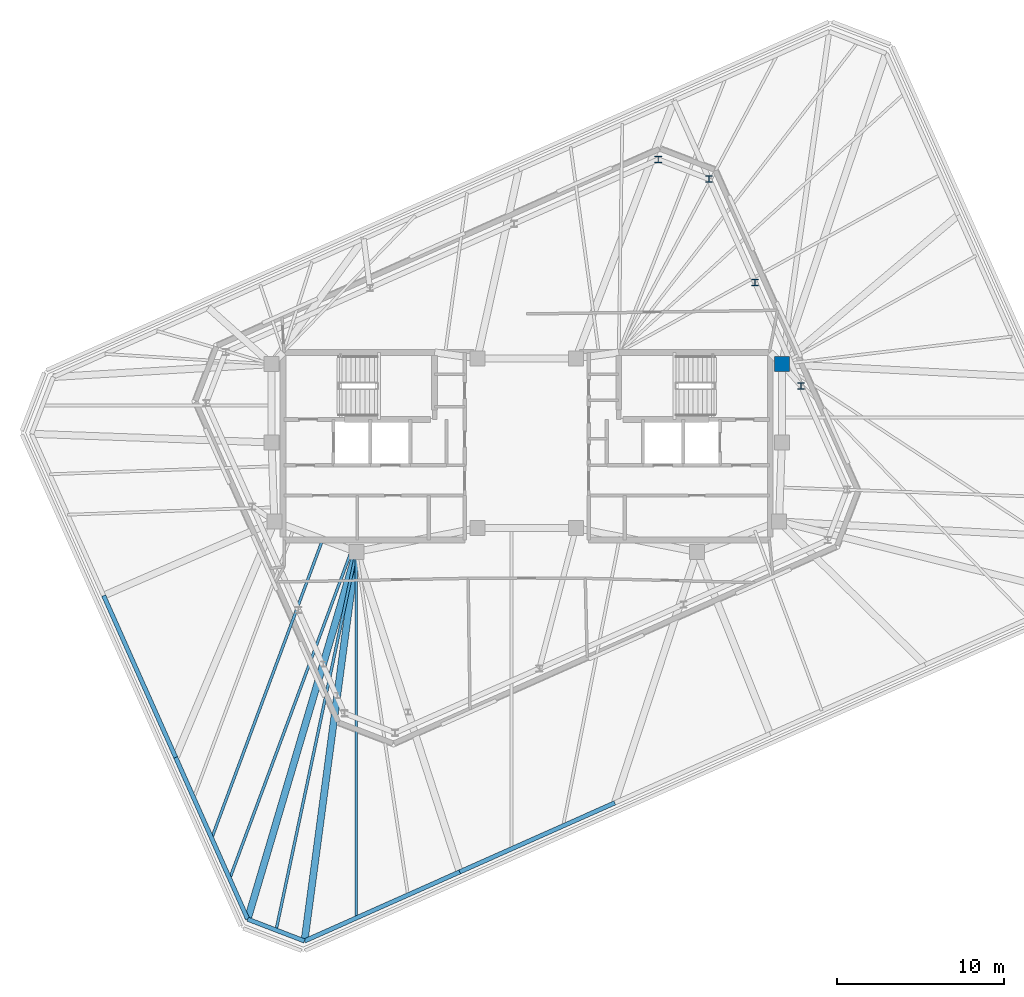
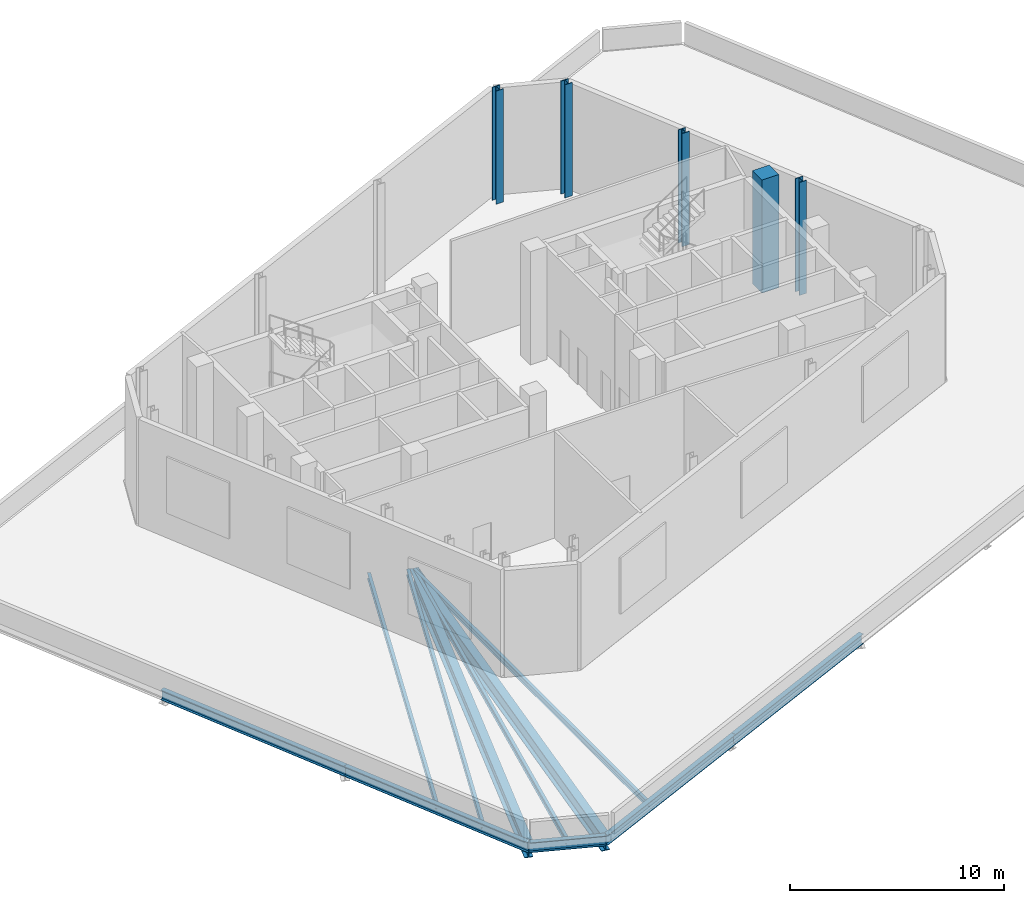
# One storey, part 3 of 10: 11 beams, 5 columns.
"""IFC4 building model written with IfcOpenShell, lengths in metres."""

from ifc_helpers import new_model, si_unit, direction, frame, origin, origin_2d, place, context, subcontext, project, spatial, rectangle, i_section, extrude, material, material_profile, profile_set, type_object, element, save


model = new_model("IFC4")

# Units and contexts
model_context = context("Model", 3, precision=1e-05, world=origin(), true_north=direction((0.0, 1.0)))
body_context = subcontext(model_context, "Body", "Model", "MODEL_VIEW")
ifc_project = project(units=[si_unit("LENGTHUNIT", "METRE"), si_unit("AREAUNIT", "SQUARE_METRE"), si_unit("VOLUMEUNIT", "CUBIC_METRE"), si_unit("PLANEANGLEUNIT", "RADIAN"), si_unit("MASSUNIT", "GRAM", prefix="KILO")], contexts=[model_context])

# Site, building, storey
site_placement = place(None, origin())
site = spatial("IfcSite", under=ifc_project, at=site_placement, CompositionType="ELEMENT")
building_placement = place(site_placement, origin())
building = spatial("IfcBuilding", under=site, at=building_placement, Name="Menara Jurai Vektor", CompositionType="ELEMENT")
storey_placement = place(building_placement, frame((0.0, 0.0, 305.550048828125)))
storey = spatial("IfcBuildingStorey", under=building, at=storey_placement, Name="L82", CompositionType="ELEMENT", Elevation=305.550048828125)

# Columns
ifc_material_1 = material(Name="Steel S460", Category="steel")
ifc_material_profile_1 = material_profile(ifc_material_1, i_section(OverallWidth=0.39892578125, OverallDepth=0.39404296875, WebThickness=0.02294921875, FlangeThickness=0.037109375, FilletRadius=0.014892578125, at=origin_2d()), Name="UKC 356x406x287")
ifc_profile_set_1 = profile_set([ifc_material_profile_1], Name="Steel S460")
column_type_1 = type_object("IfcColumnType", Name="STR-COL-DRUM", PredefinedType="COLUMN", material=ifc_profile_set_1)
for number, where, z_axis, x_axis, name in (
    (1, (16.40380859375, 3.60009765625, 0.0), (0.0, 0.0, 1.0), (1.0, 0.0, 0.0), "Crown Plant Drum Column DC-06"),
    (2, (13.651611328125, 9.781494140625, 0.0), (0.0, 0.0, 1.0), (1.0, 0.0, 0.0), "Crown Plant Drum Column DC-07"),
    (3, (10.8994140625, 15.96337890625, 0.0), (0.0, 0.0, 1.0), (1.0, 0.0, 0.0), "Crown Plant Drum Column DC-08"),
    (4, (7.86279296875, 17.12890625, 0.0), (0.0, 0.0, 1.0), (1.0, 0.0, 0.0), "Crown Plant Drum Column DC-09"),
):
    element("IfcColumn", number, at=place(storey_placement, frame(where, z_axis=z_axis, x_axis=x_axis)), inside=storey, type_object=column_type_1, Name=name, PredefinedType="COLUMN", context=body_context, shape_type="SweptSolid", body=[
        extrude(i_section(OverallWidth=0.39892578125, OverallDepth=0.39404296875, WebThickness=0.02294921875, FlangeThickness=0.037109375, FilletRadius=0.014892578125, at=origin_2d()), origin(), (0.0, 0.0, 1.0), 6.449951171875),
    ])
ifc_material_2 = material(Name="Concrete C50/60", Category="concrete")
ifc_material_profile_2 = material_profile(ifc_material_2, rectangle(XDim=0.89990234375, YDim=0.89990234375, at=origin_2d()), Name="RC 900x900")
ifc_profile_set_2 = profile_set([ifc_material_profile_2], Name="Concrete C50/60")
column_type_2 = type_object("IfcColumnType", Name="STR-COL-RC900", PredefinedType="COLUMN", material=ifc_profile_set_2)
column_placement = place(storey_placement, frame((15.25, 4.89990234375, 0.0), z_axis=(0.0, 0.0, 1.0), x_axis=(1.0, 0.0, 0.0)))
element("IfcColumn", 5, at=column_placement, inside=storey, type_object=column_type_2, Name="Core Spine Column CE-NE L82", PredefinedType="COLUMN", context=body_context, shape_type="SweptSolid", body=[
    extrude(rectangle(XDim=0.89990234375, YDim=0.89990234375, at=origin_2d()), origin(), (0.0, 0.0, 1.0), 6.449951171875),
])

# Beams
ifc_material_profile_3 = material_profile(ifc_material_1, i_section(OverallWidth=0.4208984375, OverallDepth=0.9208984375, WebThickness=0.02099609375, FlangeThickness=0.037109375, FilletRadius=0.02392578125, at=origin_2d()), Name="UKB 914x419x388")
ifc_profile_set_3 = profile_set([ifc_material_profile_3], Name="Steel S460")
beam_type_1 = type_object("IfcBeamType", Name="STR-BM-TR914", PredefinedType="BEAM", material=ifc_profile_set_3)
beam_1_placement = place(storey_placement, frame((-13.279541015625, -29.576904296875, -0.865478515625), z_axis=(0.132109192855, 0.991235169454, 0.0), x_axis=(-0.991235169454, 0.132109192855, 0.0)))
element("IfcBeam", 6, at=beam_1_placement, inside=storey, type_object=beam_type_1, Name="Drum Transfer Girder L82-S1", PredefinedType="BEAM", context=body_context, shape_type="SweptSolid", body=[
    extrude(i_section(OverallWidth=0.4208984375, OverallDepth=0.9208984375, WebThickness=0.02099609375, FlangeThickness=0.037109375, FilletRadius=0.02392578125, at=origin_2d()), origin(), (0.0, 0.0, 1.0), 23.46240234375),
])
beam_2_placement = place(storey_placement, frame((-16.675537109375, -28.2734375, -0.865478515625), z_axis=(0.283723047838, 0.958906268686, 0.0), x_axis=(-0.958906268686, 0.283723047838, 0.0)))
element("IfcBeam", 7, at=beam_2_placement, inside=storey, type_object=beam_type_1, Name="Drum Transfer Girder L82-W4", PredefinedType="BEAM", context=body_context, shape_type="SweptSolid", body=[
    extrude(i_section(OverallWidth=0.4208984375, OverallDepth=0.9208984375, WebThickness=0.02099609375, FlangeThickness=0.037109375, FilletRadius=0.02392578125, at=origin_2d()), origin(), (0.0, 0.0, 1.0), 22.894287109375),
])
ifc_material_3 = material(Name="Steel S355", Category="steel")
ifc_material_profile_4 = material_profile(ifc_material_3, i_section(OverallWidth=0.1650390625, OverallDepth=0.330078125, WebThickness=0.009033203125, FlangeThickness=0.013916015625, at=origin_2d()), Name="PG 330x165x46")
ifc_profile_set_4 = profile_set([ifc_material_profile_4], Name="Steel S355")
beam_type_2 = type_object("IfcBeamType", Name="STR-JS-330", PredefinedType="JOIST", material=ifc_profile_set_4)
beam_3_placement = place(storey_placement, frame((-10.188232421875, -28.20068359375, -0.570068359375), z_axis=(0.000379366876, 0.99999992804, 0.0), x_axis=(-0.99999992804, 0.000379366876, 0.0)))
element("IfcBeam", 8, at=beam_3_placement, inside=storey, type_object=beam_type_2, Name="Radial Secondary Floor Joist L82-JS01", PredefinedType="JOIST", context=body_context, shape_type="SweptSolid", body=[
    extrude(i_section(OverallWidth=0.1650390625, OverallDepth=0.330078125, WebThickness=0.009033203125, FlangeThickness=0.013916015625, at=origin_2d()), origin(), (0.0, 0.0, 1.0), 21.880615234375),
])
beam_4_placement = place(storey_placement, frame((-18.828125, -23.4384765625, -0.570068359375), z_axis=(0.348177845571, 0.937428497462, 0.0), x_axis=(-0.937428497462, 0.348177845571, 0.0)))
element("IfcBeam", 9, at=beam_4_placement, inside=storey, type_object=beam_type_2, Name="Radial Secondary Floor Joist L82-JS29", PredefinedType="JOIST", context=body_context, shape_type="SweptSolid", body=[
    extrude(i_section(OverallWidth=0.1650390625, OverallDepth=0.330078125, WebThickness=0.009033203125, FlangeThickness=0.013916015625, at=origin_2d()), origin(), (0.0, 0.0, 1.0), 19.05859375),
])
beam_5_placement = place(storey_placement, frame((-17.751953125, -25.85595703125, -0.570068359375), z_axis=(0.348185651823, 0.937425598042, 0.0), x_axis=(-0.937425598042, 0.348185651823, 0.0)))
element("IfcBeam", 10, at=beam_5_placement, inside=storey, type_object=beam_type_2, Name="Radial Secondary Floor Joist L82-JS30", PredefinedType="JOIST", context=body_context, shape_type="SweptSolid", body=[
    extrude(i_section(OverallWidth=0.1650390625, OverallDepth=0.330078125, WebThickness=0.009033203125, FlangeThickness=0.013916015625, at=origin_2d()), origin(), (0.0, 0.0, 1.0), 20.949951171875),
])
beam_6_placement = place(storey_placement, frame((-14.9775390625, -28.92529296875, -0.570068359375), z_axis=(0.207610208592, 0.978211634202, 0.0), x_axis=(-0.978211634202, 0.207610208592, 0.0)))
element("IfcBeam", 11, at=beam_6_placement, inside=storey, type_object=beam_type_2, Name="Radial Secondary Floor Joist L82-JS31", PredefinedType="JOIST", context=body_context, shape_type="SweptSolid", body=[
    extrude(i_section(OverallWidth=0.1650390625, OverallDepth=0.330078125, WebThickness=0.009033203125, FlangeThickness=0.013916015625, at=origin_2d()), origin(), (0.0, 0.0, 1.0), 23.108642578125),
])
ifc_material_profile_5 = material_profile(ifc_material_3, i_section(OverallWidth=0.260009765625, OverallDepth=0.570068359375, WebThickness=0.013916015625, FlangeThickness=0.02392578125, at=origin_2d()), Name="PG 570x260x145")
ifc_profile_set_5 = profile_set([ifc_material_profile_5], Name="Steel S355")
beam_type_3 = type_object("IfcBeamType", Name="STR-SP-570", PredefinedType="SPANDREL", material=ifc_profile_set_5)
beam_7_placement = place(storey_placement, frame((-13.279541015625, -29.576904296875, -0.68994140625), z_axis=(0.913550519143, 0.406725274569, 0.0), x_axis=(-0.406725274569, 0.913550519143, 0.0)))
element("IfcBeam", 12, at=beam_7_placement, inside=storey, type_object=beam_type_3, Name="Main Roof Perimeter Spandrel L82-01", PredefinedType="SPANDREL", context=body_context, shape_type="SweptSolid", body=[
    extrude(i_section(OverallWidth=0.260009765625, OverallDepth=0.570068359375, WebThickness=0.013916015625, FlangeThickness=0.02392578125, at=origin_2d()), origin(), (0.0, 0.0, 1.0), 10.15087890625),
])
beam_8_placement = place(storey_placement, frame((-4.006103515625, -25.4482421875, -0.68994140625), z_axis=(0.913545561407, 0.406736410017, 0.0), x_axis=(-0.406736410017, 0.913545561407, 0.0)))
element("IfcBeam", 13, at=beam_8_placement, inside=storey, type_object=beam_type_3, Name="Main Roof Perimeter Spandrel L82-02", PredefinedType="SPANDREL", context=body_context, shape_type="SweptSolid", body=[
    extrude(i_section(OverallWidth=0.260009765625, OverallDepth=0.570068359375, WebThickness=0.013916015625, FlangeThickness=0.02392578125, at=origin_2d()), origin(), (0.0, 0.0, 1.0), 10.1513671875),
])
for number, where, z_axis, x_axis, name in (
    (14, (-25.286376953125, -8.933349609375, -0.68994140625), (0.406744000616, -0.913542181819, 0.0), (0.913542181819, 0.406744000616, 0.0), "Main Roof Perimeter Spandrel L82-18"),
    (15, (-20.98095703125, -18.603271484375, -0.68994140625), (0.40673543049, -0.91354599752, 0.0), (0.91354599752, 0.40673543049, 0.0), "Main Roof Perimeter Spandrel L82-19"),
):
    element("IfcBeam", number, at=place(storey_placement, frame(where, z_axis=z_axis, x_axis=x_axis)), inside=storey, type_object=beam_type_3, Name=name, PredefinedType="SPANDREL", context=body_context, shape_type="SweptSolid", body=[
        extrude(i_section(OverallWidth=0.260009765625, OverallDepth=0.570068359375, WebThickness=0.013916015625, FlangeThickness=0.02392578125, at=origin_2d()), origin(), (0.0, 0.0, 1.0), 10.585205078125),
    ])
beam_9_placement = place(storey_placement, frame((-16.675537109375, -28.2734375, -0.68994140625), z_axis=(0.933592747566, -0.358335850414, 0.0), x_axis=(0.358335850414, 0.933592747566, 0.0)))
element("IfcBeam", 16, at=beam_9_placement, inside=storey, type_object=beam_type_3, Name="Main Roof Perimeter Spandrel L82-20", PredefinedType="SPANDREL", context=body_context, shape_type="SweptSolid", body=[
    extrude(i_section(OverallWidth=0.260009765625, OverallDepth=0.570068359375, WebThickness=0.013916015625, FlangeThickness=0.02392578125, at=origin_2d()), origin(), (0.0, 0.0, 1.0), 3.637451171875),
])

save(model, "model.ifc")
